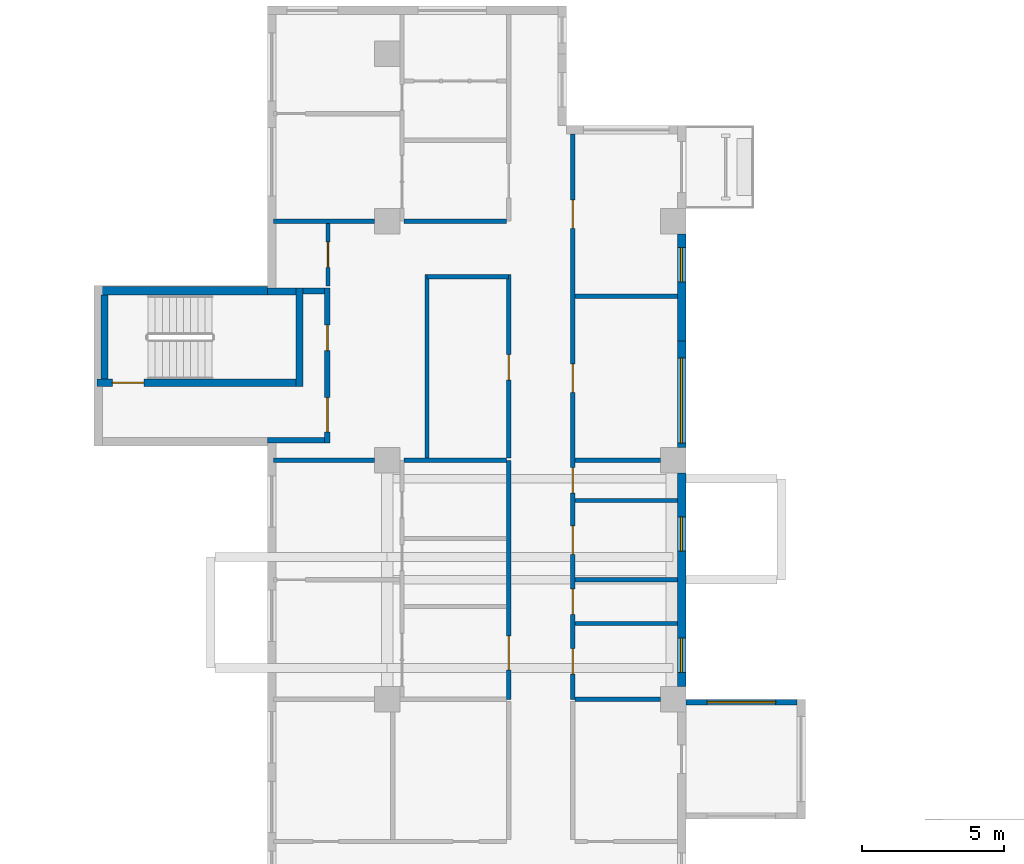
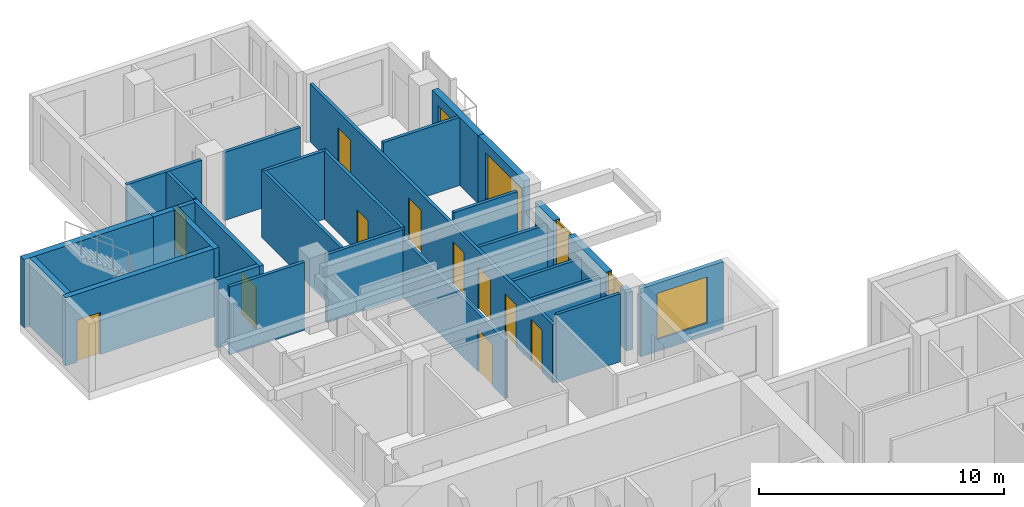
# One storey, part 7 of 12: 28 walls, 12 doors, 5 windows, 17 openings.
"""IFC4 building model written with IfcOpenShell, lengths in metres."""

from ifc_helpers import new_model, si_unit, direction, frame, frame_2d, origin, place, context, subcontext, project, spatial, rectangle, extrude, source, transform, mapped, material, layer, layer_set, type_object, element, fill, save


model = new_model("IFC4")

# Units and contexts
model_context = context("Model", 3, precision=1e-05, world=origin(), true_north=direction((0.0, 1.0)))
body_context = subcontext(model_context, "Body", "Model", "MODEL_VIEW")
ifc_project = project(units=[si_unit("LENGTHUNIT", "METRE"), si_unit("AREAUNIT", "SQUARE_METRE"), si_unit("VOLUMEUNIT", "CUBIC_METRE"), si_unit("PLANEANGLEUNIT", "RADIAN"), si_unit("MASSUNIT", "GRAM", prefix="KILO")], contexts=[model_context])

# Site, building, storey
site_placement = place(None, origin())
site = spatial("IfcSite", under=ifc_project, at=site_placement, CompositionType="ELEMENT")
building_placement = place(site_placement, origin())
building = spatial("IfcBuilding", under=site, at=building_placement, Name="Aurelian Terraces", CompositionType="ELEMENT")
storey_placement = place(building_placement, frame((0.0, 0.0, 215.8)))
storey = spatial("IfcBuildingStorey", under=building, at=storey_placement, Name="L48", CompositionType="ELEMENT", Elevation=215.8)

# Wall, opening, window
ifc_material_1 = material(Name="Terracotta rainscreen cladding", Category="masonry")
ifc_layer_1 = layer(ifc_material_1, 0.3)
ifc_layer_set_1 = layer_set([ifc_layer_1], Name="EW-300")
wall_type_1 = type_object("IfcWallType", Name="EW-300", PredefinedType="STANDARD", material=ifc_layer_set_1)
shared_shape_1 = source(origin(), body_context, "Body", "SweptSolid", [
    extrude(rectangle(XDim=3.75, YDim=0.3, at=frame_2d((1.875, 0.0))), origin(), (0.0, 0.0, 1.0), 3.4),
])
wall_1_placement = place(storey_placement, frame((20.85, 38.25, 0.0), z_axis=(0.0, 0.0, 1.0), x_axis=(0.0, 1.0, 0.0)))
wall_1 = element("IfcWall", 1, at=wall_1_placement, inside=storey, type_object=wall_type_1, Name="External wall L48 F08.20", PredefinedType="STANDARD", context=body_context, shape_type="MappedRepresentation", body=[
    mapped(shared_shape_1, transform((0.0, 0.0, 0.0), scale=1.0)),
])
shared_shape_2 = source(origin(), body_context, "Body", "SweptSolid", [
    extrude(rectangle(XDim=3.0, YDim=2.3, at=frame_2d((1.5, 1.15))), frame((0.0, 0.16, 0.0), z_axis=(0.0, -1.0, 0.0), x_axis=(1.0, 0.0, 0.0)), (0.0, 0.0, 1.0), 0.32),
])
opening_1_placement = place(wall_1_placement, frame((0.15, 0.0, 0.6)))
opening_1 = element("IfcOpeningElement", 2, at=opening_1_placement, cuts=wall_1, Name="Opening W3023", PredefinedType="OPENING", context=body_context, shape_type="MappedRepresentation", body=[
    mapped(shared_shape_2, transform((0.0, 0.0, 0.0), scale=1.0)),
])
ifc_material_2 = material(Name="Clear glazing", Category="glass")
window_type_1 = type_object("IfcWindowType", Name="W-3000x2300", PartitioningType="SINGLE_PANEL", PredefinedType="WINDOW", material=ifc_material_2)
shared_shape_3 = source(origin(), body_context, "Body", "SweptSolid", [
    extrude(rectangle(XDim=3.0, YDim=2.3, at=frame_2d((1.5, 1.15))), frame((0.0, 0.03, 0.0), z_axis=(0.0, -1.0, 0.0), x_axis=(1.0, 0.0, 0.0)), (0.0, 0.0, 1.0), 0.06),
])
window_1_placement = place(opening_1_placement, origin())
window_1 = element("IfcWindow", 3, at=window_1_placement, inside=storey, type_object=window_type_1, Name="Window L48 L48-F08-20-0", OverallHeight=2.3, OverallWidth=3.0, PartitioningType="SINGLE_PANEL", PredefinedType="WINDOW", context=body_context, shape_type="MappedRepresentation", body=[
    mapped(shared_shape_3, transform((0.0, 0.0, 0.0), scale=1.0)),
])
fill(opening_1, window_1)

wall_2_placement = place(storey_placement, frame((20.85, 42.0, 0.0), z_axis=(0.0, 0.0, 1.0), x_axis=(0.0, 1.0, 0.0)))
wall_2 = element("IfcWall", 4, at=wall_2_placement, inside=storey, type_object=wall_type_1, Name="External wall L48 F08.21", PredefinedType="STANDARD", context=body_context, shape_type="MappedRepresentation", body=[
    mapped(shared_shape_1, transform((0.0, 0.0, 0.0), scale=1.0)),
])
shared_shape_4 = source(origin(), body_context, "Body", "SweptSolid", [
    extrude(rectangle(XDim=1.2, YDim=2.3, at=frame_2d((0.6, 1.15))), frame((0.0, 0.16, 0.0), z_axis=(0.0, -1.0, 0.0), x_axis=(1.0, 0.0, 0.0)), (0.0, 0.0, 1.0), 0.32),
])
opening_2_placement = place(wall_2_placement, frame((2.0715, 0.0, 0.6)))
opening_2 = element("IfcOpeningElement", 5, at=opening_2_placement, cuts=wall_2, Name="Opening W1223", PredefinedType="OPENING", context=body_context, shape_type="MappedRepresentation", body=[
    mapped(shared_shape_4, transform((0.0, 0.0, 0.0), scale=1.0)),
])
window_type_2 = type_object("IfcWindowType", Name="W-1200x2300", PartitioningType="SINGLE_PANEL", PredefinedType="WINDOW", material=ifc_material_2)
shared_shape_5 = source(origin(), body_context, "Body", "SweptSolid", [
    extrude(rectangle(XDim=1.2, YDim=2.3, at=frame_2d((0.6, 1.15))), frame((0.0, 0.03, 0.0), z_axis=(0.0, -1.0, 0.0), x_axis=(1.0, 0.0, 0.0)), (0.0, 0.0, 1.0), 0.06),
])
window_2_placement = place(opening_2_placement, origin())
window_2 = element("IfcWindow", 6, at=window_2_placement, inside=storey, type_object=window_type_2, Name="Window L48 L48-F08-21-0", OverallHeight=2.3, OverallWidth=1.2, PartitioningType="SINGLE_PANEL", PredefinedType="WINDOW", context=body_context, shape_type="MappedRepresentation", body=[
    mapped(shared_shape_5, transform((0.0, 0.0, 0.0), scale=1.0)),
])
fill(opening_2, window_2)

# Wall
ifc_material_3 = material(Name="Concrete fc' 40 MPa", Category="concrete")
ifc_layer_2 = layer(ifc_material_3, 0.3)
ifc_layer_set_2 = layer_set([ifc_layer_2], Name="STAIR BAY WALL 300")
wall_type_2 = type_object("IfcWallType", Name="STAIR BAY WALL 300", PredefinedType="SOLIDWALL", material=ifc_layer_set_2)
shared_shape_6 = source(origin(), body_context, "Body", "SweptSolid", [
    extrude(rectangle(XDim=6.1, YDim=0.3, at=frame_2d((3.05, 0.0))), origin(), (0.0, 0.0, 1.0), 3.4),
])
wall_3_placement = place(storey_placement, frame((6.3, 43.75, 0.0), z_axis=(0.0, 0.0, 1.0), x_axis=(-1.0, 0.0, 0.0)))
element("IfcWall", 7, at=wall_3_placement, inside=storey, type_object=wall_type_2, Name="Stair bay wall L48 F13.28", PredefinedType="SOLIDWALL", context=body_context, shape_type="MappedRepresentation", body=[
    mapped(shared_shape_6, transform((0.0, 0.0, 0.0), scale=1.0)),
])

# Wall, opening, window
ifc_layer_3 = layer(ifc_material_3, 0.2)
ifc_layer_set_3 = layer_set([ifc_layer_3], Name="BOX BEARING WALL 200")
wall_type_3 = type_object("IfcWallType", Name="BOX BEARING WALL 200", PredefinedType="SOLIDWALL", material=ifc_layer_set_3)
shared_shape_7 = source(origin(), body_context, "Body", "SweptSolid", [
    extrude(rectangle(XDim=3.9, YDim=0.2, at=frame_2d((1.95, 0.0))), origin(), (0.0, 0.0, 1.0), 3.4),
])
wall_4_placement = place(storey_placement, frame((21.0, 29.3, 0.0), z_axis=(0.0, 0.0, 1.0), x_axis=(1.0, 0.0, 0.0)))
wall_4 = element("IfcWall", 8, at=wall_4_placement, inside=storey, type_object=wall_type_3, Name="Box return L48 J68.2", PredefinedType="SOLIDWALL", context=body_context, shape_type="MappedRepresentation", body=[
    mapped(shared_shape_7, transform((0.0, 0.0, 0.0), scale=1.0)),
])
shared_shape_8 = source(origin(), body_context, "Body", "SweptSolid", [
    extrude(rectangle(XDim=2.4, YDim=2.3, at=frame_2d((1.2, 1.15))), frame((0.0, 0.11, 0.0), z_axis=(0.0, -1.0, 0.0), x_axis=(1.0, 0.0, 0.0)), (0.0, 0.0, 1.0), 0.22),
])
opening_3_placement = place(wall_4_placement, frame((0.75, 0.0, 0.6)))
opening_3 = element("IfcOpeningElement", 9, at=opening_3_placement, cuts=wall_4, Name="Opening W2423", PredefinedType="OPENING", context=body_context, shape_type="MappedRepresentation", body=[
    mapped(shared_shape_8, transform((0.0, 0.0, 0.0), scale=1.0)),
])
window_type_3 = type_object("IfcWindowType", Name="W-2400x2300", PartitioningType="SINGLE_PANEL", PredefinedType="WINDOW", material=ifc_material_2)
shared_shape_9 = source(origin(), body_context, "Body", "SweptSolid", [
    extrude(rectangle(XDim=2.4, YDim=2.3, at=frame_2d((1.2, 1.15))), frame((0.0, 0.03, 0.0), z_axis=(0.0, -1.0, 0.0), x_axis=(1.0, 0.0, 0.0)), (0.0, 0.0, 1.0), 0.06),
])
window_3_placement = place(opening_3_placement, origin())
window_3 = element("IfcWindow", 10, at=window_3_placement, inside=storey, type_object=window_type_3, Name="Window L48 J68-S2", OverallHeight=2.3, OverallWidth=2.4, PartitioningType="SINGLE_PANEL", PredefinedType="WINDOW", context=body_context, shape_type="MappedRepresentation", body=[
    mapped(shared_shape_9, transform((0.0, 0.0, 0.0), scale=1.0)),
])
fill(opening_3, window_3)

# Wall, openings, windows
shared_shape_10 = source(origin(), body_context, "Body", "SweptSolid", [
    extrude(rectangle(XDim=7.5, YDim=0.3, at=frame_2d((3.75, 0.0))), origin(), (0.0, 0.0, 1.0), 2.9),
])
wall_5_placement = place(storey_placement, frame((20.85, 29.85, 0.0), z_axis=(0.0, 0.0, 1.0), x_axis=(0.0, 1.0, 0.0)))
wall_5 = element("IfcWall", 11, at=wall_5_placement, inside=storey, type_object=wall_type_1, Name="External wall L48 F08.19", PredefinedType="STANDARD", context=body_context, shape_type="MappedRepresentation", body=[
    mapped(shared_shape_10, transform((0.0, 0.0, 0.0), scale=1.0)),
])
opening_4_placement = place(wall_5_placement, frame((0.496, 0.0, 0.6)))
opening_4 = element("IfcOpeningElement", 12, at=opening_4_placement, cuts=wall_5, Name="Opening W1223", PredefinedType="OPENING", context=body_context, shape_type="MappedRepresentation", body=[
    mapped(shared_shape_4, transform((0.0, 0.0, 0.0), scale=1.0)),
])
opening_5_placement = place(wall_5_placement, frame((4.757, 0.0, 0.6)))
opening_5 = element("IfcOpeningElement", 13, at=opening_5_placement, cuts=wall_5, Name="Opening W1223", PredefinedType="OPENING", context=body_context, shape_type="MappedRepresentation", body=[
    mapped(shared_shape_4, transform((0.0, 0.0, 0.0), scale=1.0)),
])
window_4_placement = place(opening_4_placement, origin())
window_4 = element("IfcWindow", 14, at=window_4_placement, inside=storey, type_object=window_type_2, Name="Window L48 L48-F08-19-0", OverallHeight=2.3, OverallWidth=1.2, PartitioningType="SINGLE_PANEL", PredefinedType="WINDOW", context=body_context, shape_type="MappedRepresentation", body=[
    mapped(shared_shape_5, transform((0.0, 0.0, 0.0), scale=1.0)),
])
fill(opening_4, window_4)
window_5_placement = place(opening_5_placement, origin())
window_5 = element("IfcWindow", 15, at=window_5_placement, inside=storey, type_object=window_type_2, Name="Window L48 L48-F08-19-1", OverallHeight=2.3, OverallWidth=1.2, PartitioningType="SINGLE_PANEL", PredefinedType="WINDOW", context=body_context, shape_type="MappedRepresentation", body=[
    mapped(shared_shape_5, transform((0.0, 0.0, 0.0), scale=1.0)),
])
fill(opening_5, window_5)

# Wall, opening, door
ifc_layer_4 = layer(ifc_material_3, 0.25)
ifc_layer_set_4 = layer_set([ifc_layer_4], Name="Stair enclosure wall 250")
wall_type_4 = type_object("IfcWallType", Name="Stair enclosure wall 250", PredefinedType="SOLIDWALL", material=ifc_layer_set_4)
shared_shape_11 = source(origin(), body_context, "Body", "SweptSolid", [
    extrude(rectangle(XDim=7.0, YDim=0.25, at=frame_2d((3.5, 0.0))), origin(), (0.0, 0.0, 1.0), 3.4),
])
wall_6_placement = place(storey_placement, frame((0.3, 40.525, 0.0), z_axis=(0.0, 0.0, 1.0), x_axis=(1.0, 0.0, 0.0)))
wall_6 = element("IfcWall", 16, at=wall_6_placement, inside=storey, type_object=wall_type_4, Name="L48 core wall ST-S3-W", PredefinedType="SOLIDWALL", context=body_context, shape_type="MappedRepresentation", body=[
    mapped(shared_shape_11, transform((0.0, 0.0, 0.0), scale=1.0)),
])
shared_shape_12 = source(origin(), body_context, "Body", "SweptSolid", [
    extrude(rectangle(XDim=1.1, YDim=2.1, at=frame_2d((0.55, 1.05))), frame((0.0, 0.135, 0.0), z_axis=(0.0, -1.0, 0.0), x_axis=(1.0, 0.0, 0.0)), (0.0, 0.0, 1.0), 0.27),
])
opening_6_placement = place(wall_6_placement, frame((0.55, 0.0, 0.0)))
opening_6 = element("IfcOpeningElement", 17, at=opening_6_placement, cuts=wall_6, Name="Opening 65120", PredefinedType="OPENING", context=body_context, shape_type="MappedRepresentation", body=[
    mapped(shared_shape_12, transform((0.0, 0.0, 0.0), scale=1.0)),
])
ifc_material_4 = material(Name="Steel door leaf", Category="steel")
door_type_1 = type_object("IfcDoorType", Name="Core fire door 1100x2100 right", OperationType="SINGLE_SWING_RIGHT", PredefinedType="DOOR", material=ifc_material_4)
shared_shape_13 = source(origin(), body_context, "Body", "SweptSolid", [
    extrude(rectangle(XDim=1.1, YDim=2.1, at=frame_2d((0.55, 1.05))), frame((0.0, 0.025, 0.0), z_axis=(0.0, -1.0, 0.0), x_axis=(1.0, 0.0, 0.0)), (0.0, 0.0, 1.0), 0.05),
])
door_1_placement = place(opening_6_placement, origin())
door_1 = element("IfcDoor", 18, at=door_1_placement, inside=storey, type_object=door_type_1, Name="Stair door 65120", OperationType="SINGLE_SWING_RIGHT", OverallHeight=2.1, OverallWidth=1.1, PredefinedType="DOOR", context=body_context, shape_type="MappedRepresentation", body=[
    mapped(shared_shape_13, transform((0.0, 0.0, 0.0), scale=1.0)),
])
fill(opening_6, door_1)

# Walls
shared_shape_14 = source(origin(), body_context, "Body", "SweptSolid", [
    extrude(rectangle(XDim=3.45, YDim=0.25, at=frame_2d((1.725, 0.0))), origin(), (0.0, 0.0, 1.0), 3.4),
])
wall_7_placement = place(storey_placement, frame((7.425, 40.4, 0.0), z_axis=(0.0, 0.0, 1.0), x_axis=(0.0, 1.0, 0.0)))
element("IfcWall", 19, at=wall_7_placement, inside=storey, type_object=wall_type_4, Name="L48 core wall ST-S3-N", PredefinedType="SOLIDWALL", context=body_context, shape_type="MappedRepresentation", body=[
    mapped(shared_shape_14, transform((0.0, 0.0, 0.0), scale=1.0)),
])
shared_shape_15 = source(origin(), body_context, "Body", "SweptSolid", [
    extrude(rectangle(XDim=2.95, YDim=0.25, at=frame_2d((1.475, 0.0))), origin(), (0.0, 0.0, 1.0), 3.4),
])
wall_8_placement = place(storey_placement, frame((0.575, 40.65, 0.0), z_axis=(0.0, 0.0, 1.0), x_axis=(0.0, 1.0, 0.0)))
element("IfcWall", 20, at=wall_8_placement, inside=storey, type_object=wall_type_4, Name="L48 core wall ST-S3-SS", PredefinedType="SOLIDWALL", context=body_context, shape_type="MappedRepresentation", body=[
    mapped(shared_shape_15, transform((0.0, 0.0, 0.0), scale=1.0)),
])

# Wall, openings, doors
ifc_material_5 = material(Name="Gypsum board on steel studs", Category="steel")
ifc_layer_5 = layer(ifc_material_5, 0.2)
ifc_layer_set_5 = layer_set([ifc_layer_5], Name="Core partition 200")
wall_type_5 = type_object("IfcWallType", Name="Core partition 200", PredefinedType="PARTITIONING", material=ifc_layer_set_5)
shared_shape_16 = source(origin(), body_context, "Body", "SweptSolid", [
    extrude(rectangle(XDim=5.45, YDim=0.2, at=frame_2d((2.725, 0.0))), origin(), (0.0, 0.0, 1.0), 3.4),
])
wall_9_placement = place(storey_placement, frame((8.4, 38.4, 0.0), z_axis=(0.0, 0.0, 1.0), x_axis=(0.0, 1.0, 0.0)))
wall_9 = element("IfcWall", 21, at=wall_9_placement, inside=storey, type_object=wall_type_5, Name="L48 core wall ST-S3-BN", PredefinedType="PARTITIONING", context=body_context, shape_type="MappedRepresentation", body=[
    mapped(shared_shape_16, transform((0.0, 0.0, 0.0), scale=1.0)),
])
shared_shape_17 = source(origin(), body_context, "Body", "SweptSolid", [
    extrude(rectangle(XDim=1.2, YDim=2.1, at=frame_2d((0.6, 1.05))), frame((0.0, 0.11, 0.0), z_axis=(0.0, -1.0, 0.0), x_axis=(1.0, 0.0, 0.0)), (0.0, 0.0, 1.0), 0.22),
])
opening_7_placement = place(wall_9_placement, frame((0.4, 0.0, 0.0)))
opening_7 = element("IfcOpeningElement", 22, at=opening_7_placement, cuts=wall_9, Name="Opening 65121", PredefinedType="OPENING", context=body_context, shape_type="MappedRepresentation", body=[
    mapped(shared_shape_17, transform((0.0, 0.0, 0.0), scale=1.0)),
])
shared_shape_18 = source(origin(), body_context, "Body", "SweptSolid", [
    extrude(rectangle(XDim=0.9, YDim=2.1, at=frame_2d((0.45, 1.05))), frame((0.0, 0.11, 0.0), z_axis=(0.0, -1.0, 0.0), x_axis=(1.0, 0.0, 0.0)), (0.0, 0.0, 1.0), 0.22),
])
opening_8_placement = place(wall_9_placement, frame((3.25, 0.0, 0.0)))
opening_8 = element("IfcOpeningElement", 23, at=opening_8_placement, cuts=wall_9, Name="Opening 65122", PredefinedType="OPENING", context=body_context, shape_type="MappedRepresentation", body=[
    mapped(shared_shape_18, transform((0.0, 0.0, 0.0), scale=1.0)),
])
door_type_2 = type_object("IfcDoorType", Name="Core riser door 900x2100 right", OperationType="SINGLE_SWING_RIGHT", PredefinedType="DOOR", material=ifc_material_4)
shared_shape_19 = source(origin(), body_context, "Body", "SweptSolid", [
    extrude(rectangle(XDim=0.9, YDim=2.1, at=frame_2d((0.45, 1.05))), frame((0.0, 0.025, 0.0), z_axis=(0.0, -1.0, 0.0), x_axis=(1.0, 0.0, 0.0)), (0.0, 0.0, 1.0), 0.05),
])
door_2_placement = place(opening_8_placement, origin())
door_2 = element("IfcDoor", 24, at=door_2_placement, inside=storey, type_object=door_type_2, Name="Riser door 65122", OperationType="SINGLE_SWING_RIGHT", OverallHeight=2.1, OverallWidth=0.9, PredefinedType="DOOR", context=body_context, shape_type="MappedRepresentation", body=[
    mapped(shared_shape_19, transform((0.0, 0.0, 0.0), scale=1.0)),
])
fill(opening_8, door_2)
door_type_3 = type_object("IfcDoorType", Name="Core fire door 1200x2100", OperationType="SINGLE_SWING_LEFT", PredefinedType="DOOR", material=ifc_material_4)
shared_shape_20 = source(origin(), body_context, "Body", "SweptSolid", [
    extrude(rectangle(XDim=1.2, YDim=2.1, at=frame_2d((0.6, 1.05))), frame((0.0, 0.025, 0.0), z_axis=(0.0, -1.0, 0.0), x_axis=(1.0, 0.0, 0.0)), (0.0, 0.0, 1.0), 0.05),
])
door_3_placement = place(opening_7_placement, origin())
door_3 = element("IfcDoor", 25, at=door_3_placement, inside=storey, type_object=door_type_3, Name="Vestibule door 65121", OperationType="SINGLE_SWING_LEFT", OverallHeight=2.1, OverallWidth=1.2, PredefinedType="DOOR", context=body_context, shape_type="MappedRepresentation", body=[
    mapped(shared_shape_20, transform((0.0, 0.0, 0.0), scale=1.0)),
])
fill(opening_7, door_3)

# Walls
shared_shape_21 = source(origin(), body_context, "Body", "SweptSolid", [
    extrude(rectangle(XDim=0.75, YDim=0.2, at=frame_2d((0.375, 0.0))), origin(), (0.0, 0.0, 1.0), 3.4),
])
wall_10_placement = place(storey_placement, frame((7.55, 43.75, 0.0), z_axis=(0.0, 0.0, 1.0), x_axis=(1.0, 0.0, 0.0)))
element("IfcWall", 26, at=wall_10_placement, inside=storey, type_object=wall_type_5, Name="L48 core wall ST-S3-RE", PredefinedType="PARTITIONING", context=body_context, shape_type="MappedRepresentation", body=[
    mapped(shared_shape_21, transform((0.0, 0.0, 0.0), scale=1.0)),
])
shared_shape_22 = source(origin(), body_context, "Body", "SweptSolid", [
    extrude(rectangle(XDim=1.0, YDim=0.25, at=frame_2d((0.5, 0.0))), origin(), (0.0, 0.0, 1.0), 3.4),
])
wall_11_placement = place(storey_placement, frame((6.3, 43.725, 0.0), z_axis=(0.0, 0.0, 1.0), x_axis=(1.0, 0.0, 0.0)))
element("IfcWall", 27, at=wall_11_placement, inside=storey, type_object=wall_type_4, Name="L48 core wall ST-S3-E", PredefinedType="SOLIDWALL", context=body_context, shape_type="MappedRepresentation", body=[
    mapped(shared_shape_22, transform((0.0, 0.0, 0.0), scale=1.0)),
])
shared_shape_23 = source(origin(), body_context, "Body", "SweptSolid", [
    extrude(rectangle(XDim=2.0, YDim=0.2, at=frame_2d((1.0, 0.0))), origin(), (0.0, 0.0, 1.0), 3.4),
])
wall_12_placement = place(storey_placement, frame((6.3, 38.5, 0.0), z_axis=(0.0, 0.0, 1.0), x_axis=(1.0, 0.0, 0.0)))
element("IfcWall", 28, at=wall_12_placement, inside=storey, type_object=wall_type_5, Name="L48 core wall ST-S3-VW", PredefinedType="PARTITIONING", context=body_context, shape_type="MappedRepresentation", body=[
    mapped(shared_shape_23, transform((0.0, 0.0, 0.0), scale=1.0)),
])
ifc_layer_6 = layer(ifc_material_5, 0.15)
ifc_layer_set_6 = layer_set([ifc_layer_6], Name="Partition 150")
wall_type_6 = type_object("IfcWallType", Name="Partition 150", PredefinedType="PARTITIONING", material=ifc_layer_set_6)
shared_shape_24 = source(origin(), body_context, "Body", "SweptSolid", [
    extrude(rectangle(XDim=6.45, YDim=0.15, at=frame_2d((3.225, 0.0))), origin(), (0.0, 0.0, 1.0), 3.4),
])
wall_13_placement = place(storey_placement, frame((11.9, 44.325, 0.0), z_axis=(0.0, 0.0, 1.0), x_axis=(0.0, -1.0, 0.0)))
element("IfcWall", 29, at=wall_13_placement, inside=storey, type_object=wall_type_6, Name="Partition", PredefinedType="PARTITIONING", context=body_context, shape_type="MappedRepresentation", body=[
    mapped(shared_shape_24, transform((0.0, 0.0, 0.0), scale=1.0)),
])

# Wall, opening, door
ifc_layer_7 = layer(ifc_material_5, 0.15)
ifc_layer_set_7 = layer_set([ifc_layer_7], Name="Fire partition 150")
wall_type_7 = type_object("IfcWallType", Name="Fire partition 150", PredefinedType="PARTITIONING", material=ifc_layer_set_7)
wall_14_placement = place(storey_placement, frame((14.775, 37.875, 0.0), z_axis=(0.0, 0.0, 1.0), x_axis=(0.0, 1.0, 0.0)))
wall_14 = element("IfcWall", 30, at=wall_14_placement, inside=storey, type_object=wall_type_7, Name="Corridor wall", PredefinedType="PARTITIONING", context=body_context, shape_type="MappedRepresentation", body=[
    mapped(shared_shape_24, transform((0.0, 0.0, 0.0), scale=1.0)),
])
shared_shape_25 = source(origin(), body_context, "Body", "SweptSolid", [
    extrude(rectangle(XDim=0.9, YDim=2.1, at=frame_2d((0.45, 1.05))), frame((0.0, 0.085, 0.0), z_axis=(0.0, -1.0, 0.0), x_axis=(1.0, 0.0, 0.0)), (0.0, 0.0, 1.0), 0.17),
])
opening_9_placement = place(wall_14_placement, frame((2.7375, 0.0, 0.0)))
opening_9 = element("IfcOpeningElement", 31, at=opening_9_placement, cuts=wall_14, Name="Opening 748022", PredefinedType="OPENING", context=body_context, shape_type="MappedRepresentation", body=[
    mapped(shared_shape_25, transform((0.0, 0.0, 0.0), scale=1.0)),
])
ifc_material_6 = material(Name="Timber door leaf", Category="wood")
door_type_4 = type_object("IfcDoorType", Name="Room door 900x2100 left", OperationType="SINGLE_SWING_LEFT", PredefinedType="DOOR", material=ifc_material_6)
door_4_placement = place(opening_9_placement, origin())
door_4 = element("IfcDoor", 32, at=door_4_placement, inside=storey, type_object=door_type_4, Name="Door 748022", OperationType="SINGLE_SWING_LEFT", OverallHeight=2.1, OverallWidth=0.9, PredefinedType="DOOR", context=body_context, shape_type="MappedRepresentation", body=[
    mapped(shared_shape_19, transform((0.0, 0.0, 0.0), scale=1.0)),
])
fill(opening_9, door_4)

# Walls
shared_shape_26 = source(origin(), body_context, "Body", "SweptSolid", [
    extrude(rectangle(XDim=3.6, YDim=0.15, at=frame_2d((1.8, 0.0))), origin(), (0.0, 0.0, 1.0), 3.4),
])
for number, where, z_axis, x_axis, name in (
    (33, (14.7, 37.8, 0.0), (0.0, 0.0, 1.0), (-1.0, 0.0, 0.0), "Party wall"),
    (34, (14.7, 46.2, 0.0), (0.0, 0.0, 1.0), (-1.0, 0.0, 0.0), "Party wall"),
):
    element("IfcWall", number, at=place(storey_placement, frame(where, z_axis=z_axis, x_axis=x_axis)), inside=storey, type_object=wall_type_7, Name=name, PredefinedType="PARTITIONING", context=body_context, shape_type="MappedRepresentation", body=[
        mapped(shared_shape_26, transform((0.0, 0.0, 0.0), scale=1.0)),
    ])
wall_15_placement = place(storey_placement, frame((17.1, 43.5675, 0.0), z_axis=(0.0, 0.0, 1.0), x_axis=(1.0, 0.0, 0.0)))
element("IfcWall", 35, at=wall_15_placement, inside=storey, type_object=wall_type_6, Name="Partition", PredefinedType="PARTITIONING", context=body_context, shape_type="MappedRepresentation", body=[
    mapped(shared_shape_26, transform((0.0, 0.0, 0.0), scale=1.0)),
])
shared_shape_27 = source(origin(), body_context, "Body", "SweptSolid", [
    extrude(rectangle(XDim=3.001, YDim=0.15, at=frame_2d((1.5005, 0.0))), origin(), (0.0, 0.0, 1.0), 3.4),
])
wall_16_placement = place(storey_placement, frame((20.101, 29.4, 0.0), z_axis=(0.0, 0.0, 1.0), x_axis=(-1.0, 0.0, 0.0)))
element("IfcWall", 36, at=wall_16_placement, inside=storey, type_object=wall_type_6, Name="Partition", PredefinedType="PARTITIONING", context=body_context, shape_type="MappedRepresentation", body=[
    mapped(shared_shape_27, transform((0.0, 0.0, 0.0), scale=1.0)),
])
wall_17_placement = place(storey_placement, frame((20.101, 37.8, 0.0), z_axis=(0.0, 0.0, 1.0), x_axis=(-1.0, 0.0, 0.0)))
element("IfcWall", 37, at=wall_17_placement, inside=storey, type_object=wall_type_7, Name="Party wall", PredefinedType="PARTITIONING", context=body_context, shape_type="MappedRepresentation", body=[
    mapped(shared_shape_27, transform((0.0, 0.0, 0.0), scale=1.0)),
])

# Wall, opening, door
shared_shape_28 = source(origin(), body_context, "Body", "SweptSolid", [
    extrude(rectangle(XDim=2.2, YDim=0.15, at=frame_2d((1.1, 0.0))), origin(), (0.0, 0.0, 1.0), 3.4),
])
wall_18_placement = place(storey_placement, frame((8.425, 43.925, 0.0), z_axis=(0.0, 0.0, 1.0), x_axis=(0.0, 1.0, 0.0)))
wall_18 = element("IfcWall", 38, at=wall_18_placement, inside=storey, type_object=wall_type_6, Name="Partition", PredefinedType="PARTITIONING", context=body_context, shape_type="MappedRepresentation", body=[
    mapped(shared_shape_28, transform((0.0, 0.0, 0.0), scale=1.0)),
])
opening_10_placement = place(wall_18_placement, frame((0.65, 0.0, 0.0)))
opening_10 = element("IfcOpeningElement", 39, at=opening_10_placement, cuts=wall_18, Name="Opening 748023", PredefinedType="OPENING", context=body_context, shape_type="MappedRepresentation", body=[
    mapped(shared_shape_25, transform((0.0, 0.0, 0.0), scale=1.0)),
])
door_5_placement = place(opening_10_placement, origin())
door_5 = element("IfcDoor", 40, at=door_5_placement, inside=storey, type_object=door_type_4, Name="Door 748023", OperationType="SINGLE_SWING_LEFT", OverallHeight=2.1, OverallWidth=0.9, PredefinedType="DOOR", context=body_context, shape_type="MappedRepresentation", body=[
    mapped(shared_shape_19, transform((0.0, 0.0, 0.0), scale=1.0)),
])
fill(opening_10, door_5)

# Walls
shared_shape_29 = source(origin(), body_context, "Body", "SweptSolid", [
    extrude(rectangle(XDim=3.546, YDim=0.15, at=frame_2d((1.773, 0.0))), origin(), (0.0, 0.0, 1.0), 3.4),
])
for number, where, z_axis, x_axis, name in (
    (41, (10.051, 37.8, 0.0), (0.0, 0.0, 1.0), (-1.0, 0.0, 0.0), "Party wall"),
    (42, (10.051, 46.2, 0.0), (0.0, 0.0, 1.0), (-1.0, 0.0, 0.0), "Party wall"),
):
    element("IfcWall", number, at=place(storey_placement, frame(where, z_axis=z_axis, x_axis=x_axis)), inside=storey, type_object=wall_type_7, Name=name, PredefinedType="PARTITIONING", context=body_context, shape_type="MappedRepresentation", body=[
        mapped(shared_shape_29, transform((0.0, 0.0, 0.0), scale=1.0)),
    ])
shared_shape_30 = source(origin(), body_context, "Body", "SweptSolid", [
    extrude(rectangle(XDim=3.6, YDim=0.15, at=frame_2d((1.8, 0.0))), origin(), (0.0, 0.0, 1.0), 2.4),
])
for number, where, z_axis, x_axis, name in (
    (43, (17.1, 32.067, 0.0), (0.0, 0.0, 1.0), (1.0, 0.0, 0.0), "Partition"),
    (44, (17.1, 36.3885, 0.0), (0.0, 0.0, 1.0), (1.0, 0.0, 0.0), "Partition"),
):
    element("IfcWall", number, at=place(storey_placement, frame(where, z_axis=z_axis, x_axis=x_axis)), inside=storey, type_object=wall_type_6, Name=name, PredefinedType="PARTITIONING", context=body_context, shape_type="MappedRepresentation", body=[
        mapped(shared_shape_30, transform((0.0, 0.0, 0.0), scale=1.0)),
    ])
wall_19_placement = place(storey_placement, frame((20.7, 33.6, 0.0), z_axis=(0.0, 0.0, 1.0), x_axis=(-1.0, 0.0, 0.0)))
element("IfcWall", 45, at=wall_19_placement, inside=storey, type_object=wall_type_7, Name="Party wall", PredefinedType="PARTITIONING", context=body_context, shape_type="MappedRepresentation", body=[
    mapped(shared_shape_30, transform((0.0, 0.0, 0.0), scale=1.0)),
])

# Wall, opening, door
shared_shape_31 = source(origin(), body_context, "Body", "SweptSolid", [
    extrude(rectangle(XDim=8.4, YDim=0.15, at=frame_2d((4.2, 0.0))), origin(), (0.0, 0.0, 1.0), 2.9),
])
wall_20_placement = place(storey_placement, frame((14.775, 29.4, 0.0), z_axis=(0.0, 0.0, 1.0), x_axis=(0.0, 1.0, 0.0)))
wall_20 = element("IfcWall", 46, at=wall_20_placement, inside=storey, type_object=wall_type_7, Name="Corridor wall", PredefinedType="PARTITIONING", context=body_context, shape_type="MappedRepresentation", body=[
    mapped(shared_shape_31, transform((0.0, 0.0, 0.0), scale=1.0)),
])
shared_shape_32 = source(origin(), body_context, "Body", "SweptSolid", [
    extrude(rectangle(XDim=1.2, YDim=2.1, at=frame_2d((0.6, 1.05))), frame((0.0, 0.085, 0.0), z_axis=(0.0, -1.0, 0.0), x_axis=(1.0, 0.0, 0.0)), (0.0, 0.0, 1.0), 0.17),
])
opening_11_placement = place(wall_20_placement, frame((1.0302, 0.0, 0.0)))
opening_11 = element("IfcOpeningElement", 47, at=opening_11_placement, cuts=wall_20, Name="Opening 748024", PredefinedType="OPENING", context=body_context, shape_type="MappedRepresentation", body=[
    mapped(shared_shape_32, transform((0.0, 0.0, 0.0), scale=1.0)),
])
door_type_5 = type_object("IfcDoorType", Name="Entrance fire door 1200x2100 right", OperationType="SINGLE_SWING_RIGHT", PredefinedType="DOOR", material=ifc_material_4)
door_6_placement = place(opening_11_placement, origin())
door_6 = element("IfcDoor", 48, at=door_6_placement, inside=storey, type_object=door_type_5, Name="Door 748024", OperationType="SINGLE_SWING_RIGHT", OverallHeight=2.1, OverallWidth=1.2, PredefinedType="DOOR", context=body_context, shape_type="MappedRepresentation", body=[
    mapped(shared_shape_20, transform((0.0, 0.0, 0.0), scale=1.0)),
])
fill(opening_11, door_6)

# Wall, openings, doors
shared_shape_33 = source(origin(), body_context, "Body", "SweptSolid", [
    extrude(rectangle(XDim=19.86, YDim=0.15, at=frame_2d((9.93, 0.0))), origin(), (0.0, 0.0, 1.0), 2.9),
])
wall_21_placement = place(storey_placement, frame((17.025, 49.26, 0.0), z_axis=(0.0, 0.0, 1.0), x_axis=(0.0, -1.0, 0.0)))
wall_21 = element("IfcWall", 49, at=wall_21_placement, inside=storey, type_object=wall_type_7, Name="Corridor wall", PredefinedType="PARTITIONING", context=body_context, shape_type="MappedRepresentation", body=[
    mapped(shared_shape_33, transform((0.0, 0.0, 0.0), scale=1.0)),
])
opening_12_placement = place(wall_21_placement, frame((18.0765, 0.0, 0.0)))
opening_12 = element("IfcOpeningElement", 50, at=opening_12_placement, cuts=wall_21, Name="Opening 748035", PredefinedType="OPENING", context=body_context, shape_type="MappedRepresentation", body=[
    mapped(shared_shape_25, transform((0.0, 0.0, 0.0), scale=1.0)),
])
opening_13_placement = place(wall_21_placement, frame((15.9765, 0.0, 0.0)))
opening_13 = element("IfcOpeningElement", 51, at=opening_13_placement, cuts=wall_21, Name="Opening 748036", PredefinedType="OPENING", context=body_context, shape_type="MappedRepresentation", body=[
    mapped(shared_shape_25, transform((0.0, 0.0, 0.0), scale=1.0)),
])
shared_shape_34 = source(origin(), body_context, "Body", "SweptSolid", [
    extrude(rectangle(XDim=1.0, YDim=2.1, at=frame_2d((0.5, 1.05))), frame((0.0, 0.085, 0.0), z_axis=(0.0, -1.0, 0.0), x_axis=(1.0, 0.0, 0.0)), (0.0, 0.0, 1.0), 0.17),
])
opening_14_placement = place(wall_21_placement, frame((13.7658, 0.0, 0.0)))
opening_14 = element("IfcOpeningElement", 52, at=opening_14_placement, cuts=wall_21, Name="Opening 748037", PredefinedType="OPENING", context=body_context, shape_type="MappedRepresentation", body=[
    mapped(shared_shape_34, transform((0.0, 0.0, 0.0), scale=1.0)),
])
opening_15_placement = place(wall_21_placement, frame((11.7158, 0.0, 0.0)))
opening_15 = element("IfcOpeningElement", 53, at=opening_15_placement, cuts=wall_21, Name="Opening 748038", PredefinedType="OPENING", context=body_context, shape_type="MappedRepresentation", body=[
    mapped(shared_shape_25, transform((0.0, 0.0, 0.0), scale=1.0)),
])
opening_16_placement = place(wall_21_placement, frame((8.0762, 0.0, 0.0)))
opening_16 = element("IfcOpeningElement", 54, at=opening_16_placement, cuts=wall_21, Name="Opening 748039", PredefinedType="OPENING", context=body_context, shape_type="MappedRepresentation", body=[
    mapped(shared_shape_34, transform((0.0, 0.0, 0.0), scale=1.0)),
])
opening_17_placement = place(wall_21_placement, frame((2.3088, 0.0, 0.0)))
opening_17 = element("IfcOpeningElement", 55, at=opening_17_placement, cuts=wall_21, Name="Opening 748040", PredefinedType="OPENING", context=body_context, shape_type="MappedRepresentation", body=[
    mapped(shared_shape_34, transform((0.0, 0.0, 0.0), scale=1.0)),
])
door_type_6 = type_object("IfcDoorType", Name="Entrance fire door 1000x2100 right", OperationType="SINGLE_SWING_RIGHT", PredefinedType="DOOR", material=ifc_material_4)
shared_shape_35 = source(origin(), body_context, "Body", "SweptSolid", [
    extrude(rectangle(XDim=1.0, YDim=2.1, at=frame_2d((0.5, 1.05))), frame((0.0, 0.025, 0.0), z_axis=(0.0, -1.0, 0.0), x_axis=(1.0, 0.0, 0.0)), (0.0, 0.0, 1.0), 0.05),
])
door_7_placement = place(opening_14_placement, origin())
door_7 = element("IfcDoor", 56, at=door_7_placement, inside=storey, type_object=door_type_6, Name="Door 748037", OperationType="SINGLE_SWING_RIGHT", OverallHeight=2.1, OverallWidth=1.0, PredefinedType="DOOR", context=body_context, shape_type="MappedRepresentation", body=[
    mapped(shared_shape_35, transform((0.0, 0.0, 0.0), scale=1.0)),
])
fill(opening_14, door_7)
door_8_placement = place(opening_16_placement, origin())
door_8 = element("IfcDoor", 57, at=door_8_placement, inside=storey, type_object=door_type_6, Name="Door 748039", OperationType="SINGLE_SWING_RIGHT", OverallHeight=2.1, OverallWidth=1.0, PredefinedType="DOOR", context=body_context, shape_type="MappedRepresentation", body=[
    mapped(shared_shape_35, transform((0.0, 0.0, 0.0), scale=1.0)),
])
fill(opening_16, door_8)
door_type_7 = type_object("IfcDoorType", Name="Entrance fire door 1000x2100 left", OperationType="SINGLE_SWING_LEFT", PredefinedType="DOOR", material=ifc_material_4)
door_9_placement = place(opening_17_placement, origin())
door_9 = element("IfcDoor", 58, at=door_9_placement, inside=storey, type_object=door_type_7, Name="Door 748040", OperationType="SINGLE_SWING_LEFT", OverallHeight=2.1, OverallWidth=1.0, PredefinedType="DOOR", context=body_context, shape_type="MappedRepresentation", body=[
    mapped(shared_shape_35, transform((0.0, 0.0, 0.0), scale=1.0)),
])
fill(opening_17, door_9)
door_type_8 = type_object("IfcDoorType", Name="Entrance fire door 900x2100 right", OperationType="SINGLE_SWING_RIGHT", PredefinedType="DOOR", material=ifc_material_4)
door_10_placement = place(opening_12_placement, origin())
door_10 = element("IfcDoor", 59, at=door_10_placement, inside=storey, type_object=door_type_8, Name="Door 748035", OperationType="SINGLE_SWING_RIGHT", OverallHeight=2.1, OverallWidth=0.9, PredefinedType="DOOR", context=body_context, shape_type="MappedRepresentation", body=[
    mapped(shared_shape_19, transform((0.0, 0.0, 0.0), scale=1.0)),
])
fill(opening_12, door_10)
door_type_9 = type_object("IfcDoorType", Name="Entrance fire door 900x2100 left", OperationType="SINGLE_SWING_LEFT", PredefinedType="DOOR", material=ifc_material_4)
door_11_placement = place(opening_13_placement, origin())
door_11 = element("IfcDoor", 60, at=door_11_placement, inside=storey, type_object=door_type_9, Name="Door 748036", OperationType="SINGLE_SWING_LEFT", OverallHeight=2.1, OverallWidth=0.9, PredefinedType="DOOR", context=body_context, shape_type="MappedRepresentation", body=[
    mapped(shared_shape_19, transform((0.0, 0.0, 0.0), scale=1.0)),
])
fill(opening_13, door_11)
door_12_placement = place(opening_15_placement, origin())
door_12 = element("IfcDoor", 61, at=door_12_placement, inside=storey, type_object=door_type_9, Name="Door 748038", OperationType="SINGLE_SWING_LEFT", OverallHeight=2.1, OverallWidth=0.9, PredefinedType="DOOR", context=body_context, shape_type="MappedRepresentation", body=[
    mapped(shared_shape_19, transform((0.0, 0.0, 0.0), scale=1.0)),
])
fill(opening_15, door_12)

# Wall
shared_shape_36 = source(origin(), body_context, "Body", "SweptSolid", [
    extrude(rectangle(XDim=2.875, YDim=0.15, at=frame_2d((1.4375, 0.0))), origin(), (0.0, 0.0, 1.0), 3.4),
])
wall_22_placement = place(storey_placement, frame((14.775, 44.25, 0.0), z_axis=(0.0, 0.0, 1.0), x_axis=(-1.0, 0.0, 0.0)))
element("IfcWall", 62, at=wall_22_placement, inside=storey, type_object=wall_type_6, Name="Partition", PredefinedType="PARTITIONING", context=body_context, shape_type="MappedRepresentation", body=[
    mapped(shared_shape_36, transform((0.0, 0.0, 0.0), scale=1.0)),
])

save(model, "model.ifc")
